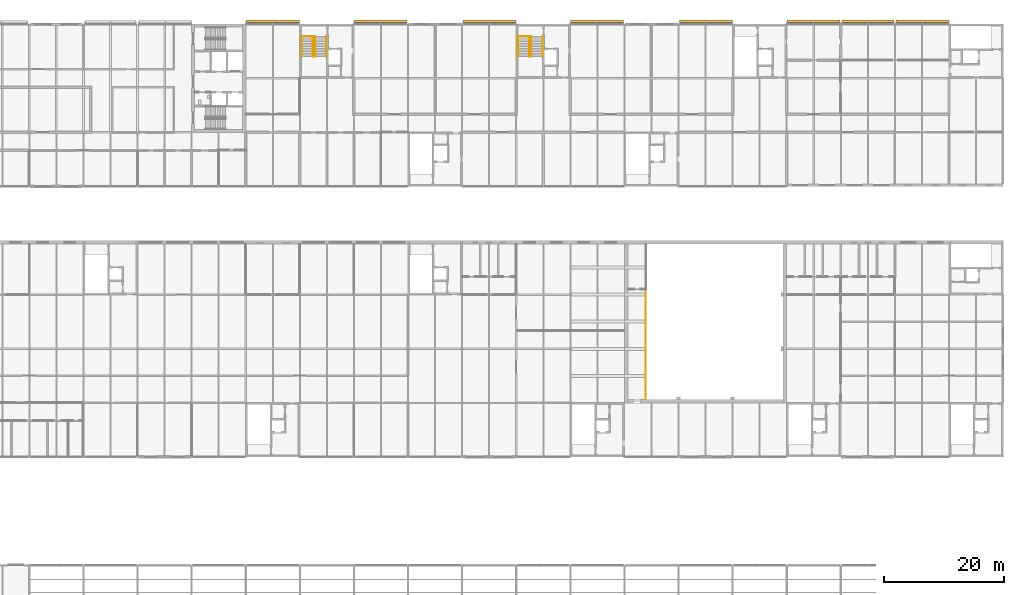
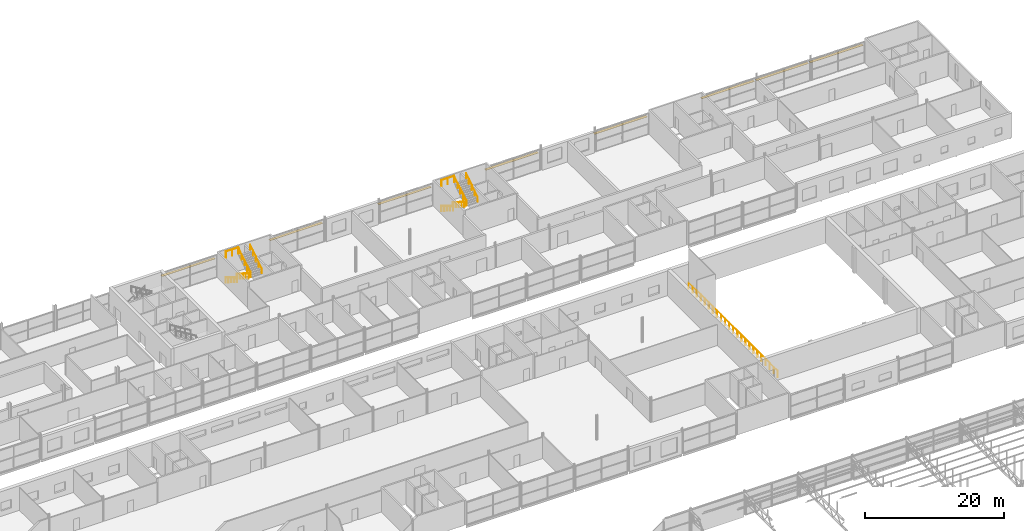
# One storey, part 137 of 138: 11 railings, 8 shading devices.
"""IFC4 building model written with IfcOpenShell, lengths in metres."""

from ifc_helpers import new_model, si_unit, direction, frame, origin, origin_2d, place, context, subcontext, project, spatial, rectangle, circle, extrude, material, layer, layer_set, type_object, element, save


model = new_model("IFC4")

# Units and contexts
model_context = context("Model", 3, precision=1e-05, world=origin(), true_north=direction((0.0, 1.0)))
body_context = subcontext(model_context, "Body", "Model", "MODEL_VIEW")
ifc_project = project(units=[si_unit("LENGTHUNIT", "METRE"), si_unit("AREAUNIT", "SQUARE_METRE"), si_unit("VOLUMEUNIT", "CUBIC_METRE"), si_unit("PLANEANGLEUNIT", "RADIAN"), si_unit("MASSUNIT", "GRAM", prefix="KILO")], contexts=[model_context])

# Site, building, storey
site_placement = place(None, origin())
site = spatial("IfcSite", under=ifc_project, at=site_placement, CompositionType="ELEMENT")
building_placement = place(site_placement, origin())
building = spatial("IfcBuilding", under=site, at=building_placement, Name="Corbel Yard City Hall", CompositionType="ELEMENT")
storey_placement = place(building_placement, frame((0.0, 0.0, 10.5)))
storey = spatial("IfcBuildingStorey", under=building, at=storey_placement, Name="L02", CompositionType="ELEMENT", Elevation=10.5)

# Railings
ifc_material_1 = material(Name="Stainless steel Grade 316", Category="steel")
railing_type_1 = type_object("IfcRailingType", Name="GR1", PredefinedType="GUARDRAIL", material=ifc_material_1)
railing_1_placement = place(storey_placement, frame((120.550048828125, 54.64990234375, 0.0)))
element("IfcRailing", 1, at=railing_1_placement, inside=storey, type_object=railing_type_1, Name="Press gallery guard", PredefinedType="GUARDRAIL", context=body_context, shape_type="SweptSolid", body=[
    extrude(circle(Radius=0.02392578125, at=origin_2d()), frame((0.0, 0.0, 1.076171875), z_axis=(0.0, 1.0, 0.0), x_axis=(-1.0, 0.0, 0.0)), (0.0, 0.0, 1.0), 25.7001953125),
    extrude(circle(Radius=0.02099609375, at=origin_2d()), origin(), (0.0, 0.0, 1.0), 1.052001953125),
    extrude(circle(Radius=0.02099609375, at=origin_2d()), frame((0.0, 1.168212890625, 0.0)), (0.0, 0.0, 1.0), 1.052001953125),
    extrude(circle(Radius=0.02099609375, at=origin_2d()), frame((0.0, 2.33642578125, 0.0)), (0.0, 0.0, 1.0), 1.052001953125),
    extrude(circle(Radius=0.02099609375, at=origin_2d()), frame((0.0, 3.504638671875, 0.0)), (0.0, 0.0, 1.0), 1.052001953125),
    extrude(circle(Radius=0.02099609375, at=origin_2d()), frame((0.0, 4.6728515625, 0.0)), (0.0, 0.0, 1.0), 1.052001953125),
    extrude(circle(Radius=0.02099609375, at=origin_2d()), frame((0.0, 5.841064453125, 0.0)), (0.0, 0.0, 1.0), 1.052001953125),
    extrude(circle(Radius=0.02099609375, at=origin_2d()), frame((0.0, 7.009033203125, 0.0)), (0.0, 0.0, 1.0), 1.052001953125),
    extrude(circle(Radius=0.02099609375, at=origin_2d()), frame((0.0, 8.17724609375, 0.0)), (0.0, 0.0, 1.0), 1.052001953125),
    extrude(circle(Radius=0.02099609375, at=origin_2d()), frame((0.0, 9.345458984375, 0.0)), (0.0, 0.0, 1.0), 1.052001953125),
    extrude(circle(Radius=0.02099609375, at=origin_2d()), frame((0.0, 10.513671875, 0.0)), (0.0, 0.0, 1.0), 1.052001953125),
    extrude(circle(Radius=0.02099609375, at=origin_2d()), frame((0.0, 11.681884765625, 0.0)), (0.0, 0.0, 1.0), 1.052001953125),
    extrude(circle(Radius=0.02099609375, at=origin_2d()), frame((0.0, 12.85009765625, 0.0)), (0.0, 0.0, 1.0), 1.052001953125),
    extrude(circle(Radius=0.02099609375, at=origin_2d()), frame((0.0, 14.018310546875, 0.0)), (0.0, 0.0, 1.0), 1.052001953125),
    extrude(circle(Radius=0.02099609375, at=origin_2d()), frame((0.0, 15.1865234375, 0.0)), (0.0, 0.0, 1.0), 1.052001953125),
    extrude(circle(Radius=0.02099609375, at=origin_2d()), frame((0.0, 16.354736328125, 0.0)), (0.0, 0.0, 1.0), 1.052001953125),
    extrude(circle(Radius=0.02099609375, at=origin_2d()), frame((0.0, 17.52294921875, 0.0)), (0.0, 0.0, 1.0), 1.052001953125),
    extrude(circle(Radius=0.02099609375, at=origin_2d()), frame((0.0, 18.691162109375, 0.0)), (0.0, 0.0, 1.0), 1.052001953125),
    extrude(circle(Radius=0.02099609375, at=origin_2d()), frame((0.0, 19.859130859375, 0.0)), (0.0, 0.0, 1.0), 1.052001953125),
    extrude(circle(Radius=0.02099609375, at=origin_2d()), frame((0.0, 21.02734375, 0.0)), (0.0, 0.0, 1.0), 1.052001953125),
    extrude(circle(Radius=0.02099609375, at=origin_2d()), frame((0.0, 22.195556640625, 0.0)), (0.0, 0.0, 1.0), 1.052001953125),
    extrude(circle(Radius=0.02099609375, at=origin_2d()), frame((0.0, 23.36376953125, 0.0)), (0.0, 0.0, 1.0), 1.052001953125),
    extrude(circle(Radius=0.02099609375, at=origin_2d()), frame((0.0, 24.531982421875, 0.0)), (0.0, 0.0, 1.0), 1.052001953125),
    extrude(circle(Radius=0.02099609375, at=origin_2d()), frame((0.0, 25.7001953125, 0.0)), (0.0, 0.0, 1.0), 1.052001953125),
])
railing_2_placement = place(storey_placement, frame((63.3701171875, 115.0, 4.5)))
element("IfcRailing", 2, at=railing_2_placement, inside=storey, type_object=railing_type_1, Name="Exit stair guard", PredefinedType="GUARDRAIL", context=body_context, shape_type="SweptSolid", body=[
    extrude(circle(Radius=0.02392578125, at=origin_2d()), frame((0.0, 0.0, 1.076171875), z_axis=(1.0, 0.0, 0.0), x_axis=(0.0, 1.0, 0.0)), (0.0, 0.0, 1.0), 2.079833984375),
    extrude(circle(Radius=0.02099609375, at=origin_2d()), origin(), (0.0, 0.0, 1.0), 1.052001953125),
    extrude(circle(Radius=0.02099609375, at=origin_2d()), frame((1.0400390625, 0.0, 0.0)), (0.0, 0.0, 1.0), 1.052001953125),
    extrude(circle(Radius=0.02099609375, at=origin_2d()), frame((2.079833984375, 0.0, 0.0)), (0.0, 0.0, 1.0), 1.052001953125),
])
railing_3_placement = place(storey_placement, frame((99.300048828125, 115.0, 4.5)))
element("IfcRailing", 3, at=railing_3_placement, inside=storey, type_object=railing_type_1, Name="Exit stair guard", PredefinedType="GUARDRAIL", context=body_context, shape_type="SweptSolid", body=[
    extrude(circle(Radius=0.02392578125, at=origin_2d()), frame((0.0, 0.0, 1.076171875), z_axis=(1.0, 0.0, 0.0), x_axis=(0.0, 1.0, 0.0)), (0.0, 0.0, 1.0), 2.14990234375),
    extrude(circle(Radius=0.02099609375, at=origin_2d()), origin(), (0.0, 0.0, 1.0), 1.052001953125),
    extrude(circle(Radius=0.02099609375, at=origin_2d()), frame((1.074951171875, 0.0, 0.0)), (0.0, 0.0, 1.0), 1.052001953125),
    extrude(circle(Radius=0.02099609375, at=origin_2d()), frame((2.14990234375, 0.0, 0.0)), (0.0, 0.0, 1.0), 1.052001953125),
])
railing_type_2 = type_object("IfcRailingType", Name="HR1", PredefinedType="HANDRAIL", material=ifc_material_1)
for number, where, name in (
    (4, (63.300048828125, 114.949951171875, 0.173095703125), "Exit stair handrail"),
    (5, (65.199951171875, 114.949951171875, 0.173095703125), "Exit stair handrail"),
):
    element("IfcRailing", number, at=place(storey_placement, frame(where)), inside=storey, type_object=railing_type_2, Name=name, PredefinedType="HANDRAIL", context=body_context, shape_type="SweptSolid", body=[
        extrude(circle(Radius=0.02392578125, at=origin_2d()), frame((0.0, 0.0, 0.8759765625), z_axis=(0.0, -0.850606129759, 0.525803396734), x_axis=(1.0, 0.0, 0.0)), (0.0, 0.0, 1.0), 3.949951171875),
        extrude(circle(Radius=0.02099609375, at=origin_2d()), origin(), (0.0, 0.0, 1.0), 0.851806640625),
        extrude(circle(Radius=0.02099609375, at=origin_2d()), frame((0.0, -0.83984375, 0.519287109375)), (0.0, 0.0, 1.0), 0.851806640625),
        extrude(circle(Radius=0.02099609375, at=origin_2d()), frame((0.0, -1.679931640625, 1.03857421875)), (0.0, 0.0, 1.0), 0.851806640625),
        extrude(circle(Radius=0.02099609375, at=origin_2d()), frame((0.0, -2.52001953125, 1.5576171875)), (0.0, 0.0, 1.0), 0.851806640625),
        extrude(circle(Radius=0.02099609375, at=origin_2d()), frame((0.0, -3.35986328125, 2.076904296875)), (0.0, 0.0, 1.0), 0.851806640625),
    ])
for number, where, name in (
    (6, (65.5, 111.590087890625, 2.423095703125), "Exit stair handrail"),
    (7, (67.39990234375, 111.590087890625, 2.423095703125), "Exit stair handrail"),
):
    element("IfcRailing", number, at=place(storey_placement, frame(where)), inside=storey, type_object=railing_type_2, Name=name, PredefinedType="HANDRAIL", context=body_context, shape_type="SweptSolid", body=[
        extrude(circle(Radius=0.02392578125, at=origin_2d()), frame((0.0, 0.0, 0.8759765625), z_axis=(0.0, 0.850606129759, 0.525803396734), x_axis=(-1.0, 0.0, 0.0)), (0.0, 0.0, 1.0), 3.949951171875),
        extrude(circle(Radius=0.02099609375, at=origin_2d()), origin(), (0.0, 0.0, 1.0), 0.851806640625),
        extrude(circle(Radius=0.02099609375, at=origin_2d()), frame((0.0, 0.83984375, 0.519287109375)), (0.0, 0.0, 1.0), 0.851806640625),
        extrude(circle(Radius=0.02099609375, at=origin_2d()), frame((0.0, 1.679931640625, 1.03857421875)), (0.0, 0.0, 1.0), 0.851806640625),
        extrude(circle(Radius=0.02099609375, at=origin_2d()), frame((0.0, 2.52001953125, 1.5576171875)), (0.0, 0.0, 1.0), 0.851806640625),
        extrude(circle(Radius=0.02099609375, at=origin_2d()), frame((0.0, 3.35986328125, 2.076904296875)), (0.0, 0.0, 1.0), 0.851806640625),
    ])
for number, where, name in (
    (8, (99.300048828125, 114.949951171875, 0.173095703125), "Exit stair handrail"),
    (9, (101.199951171875, 114.949951171875, 0.173095703125), "Exit stair handrail"),
):
    element("IfcRailing", number, at=place(storey_placement, frame(where)), inside=storey, type_object=railing_type_2, Name=name, PredefinedType="HANDRAIL", context=body_context, shape_type="SweptSolid", body=[
        extrude(circle(Radius=0.02392578125, at=origin_2d()), frame((0.0, 0.0, 0.8759765625), z_axis=(0.0, -0.850606129759, 0.525803396734), x_axis=(1.0, 0.0, 0.0)), (0.0, 0.0, 1.0), 3.949951171875),
        extrude(circle(Radius=0.02099609375, at=origin_2d()), origin(), (0.0, 0.0, 1.0), 0.851806640625),
        extrude(circle(Radius=0.02099609375, at=origin_2d()), frame((0.0, -0.83984375, 0.519287109375)), (0.0, 0.0, 1.0), 0.851806640625),
        extrude(circle(Radius=0.02099609375, at=origin_2d()), frame((0.0, -1.679931640625, 1.03857421875)), (0.0, 0.0, 1.0), 0.851806640625),
        extrude(circle(Radius=0.02099609375, at=origin_2d()), frame((0.0, -2.52001953125, 1.5576171875)), (0.0, 0.0, 1.0), 0.851806640625),
        extrude(circle(Radius=0.02099609375, at=origin_2d()), frame((0.0, -3.35986328125, 2.076904296875)), (0.0, 0.0, 1.0), 0.851806640625),
    ])
for number, where, name in (
    (10, (101.5, 111.590087890625, 2.423095703125), "Exit stair handrail"),
    (11, (103.39990234375, 111.590087890625, 2.423095703125), "Exit stair handrail"),
):
    element("IfcRailing", number, at=place(storey_placement, frame(where)), inside=storey, type_object=railing_type_2, Name=name, PredefinedType="HANDRAIL", context=body_context, shape_type="SweptSolid", body=[
        extrude(circle(Radius=0.02392578125, at=origin_2d()), frame((0.0, 0.0, 0.8759765625), z_axis=(0.0, 0.850606129759, 0.525803396734), x_axis=(-1.0, 0.0, 0.0)), (0.0, 0.0, 1.0), 3.949951171875),
        extrude(circle(Radius=0.02099609375, at=origin_2d()), origin(), (0.0, 0.0, 1.0), 0.851806640625),
        extrude(circle(Radius=0.02099609375, at=origin_2d()), frame((0.0, 0.83984375, 0.519287109375)), (0.0, 0.0, 1.0), 0.851806640625),
        extrude(circle(Radius=0.02099609375, at=origin_2d()), frame((0.0, 1.679931640625, 1.03857421875)), (0.0, 0.0, 1.0), 0.851806640625),
        extrude(circle(Radius=0.02099609375, at=origin_2d()), frame((0.0, 2.52001953125, 1.5576171875)), (0.0, 0.0, 1.0), 0.851806640625),
        extrude(circle(Radius=0.02099609375, at=origin_2d()), frame((0.0, 3.35986328125, 2.076904296875)), (0.0, 0.0, 1.0), 0.851806640625),
    ])

# Shading devices
ifc_material_2 = material(Name="Anodised aluminium", Category="aluminium")
ifc_layer = layer(ifc_material_2, 0.050048828125)
ifc_layer_set = layer_set([ifc_layer], Name="Anodised aluminium")
shading_device_type = type_object("IfcShadingDeviceType", Name="LV2", PredefinedType="JALOUSIE", material=ifc_layer_set)
shading_device_1_placement = place(storey_placement, frame((58.5, 117.47509765625, 3.033203125), z_axis=(0.0, 0.0, 1.0), x_axis=(1.0, 0.0, 0.0)))
element("IfcShadingDevice", 12, at=shading_device_1_placement, inside=storey, type_object=shading_device_type, Name="Louvre blade", PredefinedType="JALOUSIE", context=body_context, shape_type="SweptSolid", body=[
    extrude(rectangle(XDim=8.93505859375, YDim=0.449951171875, at=origin_2d()), origin(), (0.0, 0.0, 1.0), 0.050048828125),
])
for number, where, z_axis, x_axis, name in (
    (13, (76.4365234375, 117.47509765625, 3.033203125), (0.0, 0.0, 1.0), (1.0, 0.0, 0.0), "Louvre blade"),
    (14, (94.5634765625, 117.47509765625, 3.033203125), (0.0, 0.0, 1.0), (1.0, 0.0, 0.0), "Louvre blade"),
    (15, (112.4365234375, 117.47509765625, 2.84326171875), (0.0, 0.0, 1.0), (1.0, 0.0, 0.0), "Louvre blade"),
    (16, (130.5634765625, 117.47509765625, 2.84326171875), (0.0, 0.0, 1.0), (1.0, 0.0, 0.0), "Louvre blade"),
    (17, (148.4365234375, 117.47509765625, 2.84326171875), (0.0, 0.0, 1.0), (1.0, 0.0, 0.0), "Louvre blade"),
):
    element("IfcShadingDevice", number, at=place(storey_placement, frame(where, z_axis=z_axis, x_axis=x_axis)), inside=storey, type_object=shading_device_type, Name=name, PredefinedType="JALOUSIE", context=body_context, shape_type="SweptSolid", body=[
        extrude(rectangle(XDim=8.80810546875, YDim=0.449951171875, at=origin_2d()), origin(), (0.0, 0.0, 1.0), 0.050048828125),
    ])
shading_device_2_placement = place(storey_placement, frame((157.5, 117.47509765625, 2.84326171875), z_axis=(0.0, 0.0, 1.0), x_axis=(1.0, 0.0, 0.0)))
element("IfcShadingDevice", 18, at=shading_device_2_placement, inside=storey, type_object=shading_device_type, Name="Louvre blade", PredefinedType="JALOUSIE", context=body_context, shape_type="SweptSolid", body=[
    extrude(rectangle(XDim=8.680908203125, YDim=0.449951171875, at=origin_2d()), origin(), (0.0, 0.0, 1.0), 0.050048828125),
])
shading_device_3_placement = place(storey_placement, frame((166.5634765625, 117.47509765625, 2.84326171875), z_axis=(0.0, 0.0, 1.0), x_axis=(1.0, 0.0, 0.0)))
element("IfcShadingDevice", 19, at=shading_device_3_placement, inside=storey, type_object=shading_device_type, Name="Louvre blade", PredefinedType="JALOUSIE", context=body_context, shape_type="SweptSolid", body=[
    extrude(rectangle(XDim=8.80810546875, YDim=0.449951171875, at=origin_2d()), origin(), (0.0, 0.0, 1.0), 0.050048828125),
])

save(model, "model.ifc")
